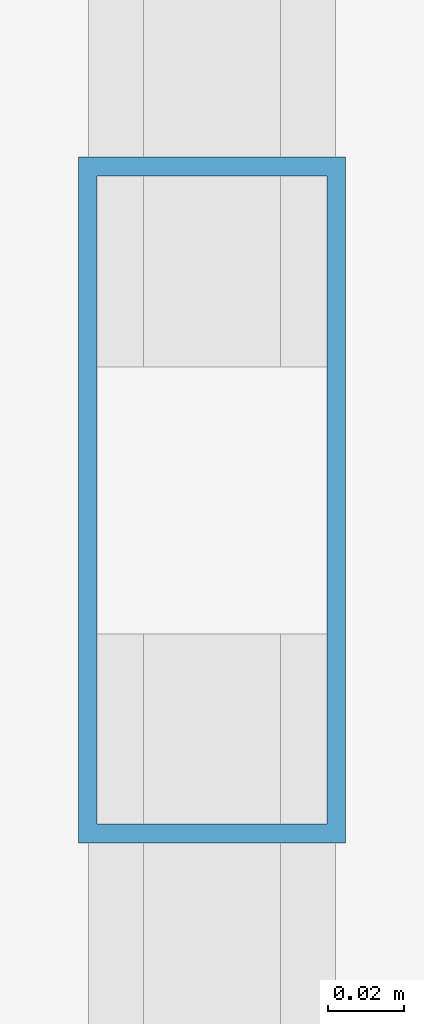
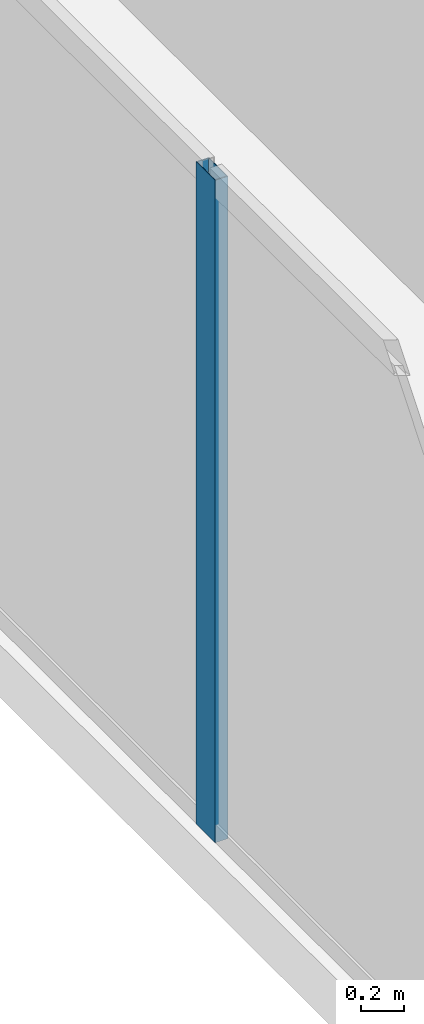
# One storey, part 9 of 33: 1 member, 1 element without a shape of its own.
"""IFC4 building model written with IfcOpenShell, lengths in metres."""

from ifc_helpers import new_model, si_unit, direction, frame, origin, origin_2d, place, context, subcontext, project, spatial, hollow_rectangle, extrude, source, transform, mapped, material, layer, layer_set, material_profile, profile_set, type_object, type_shapes, element, aggregate, save


model = new_model("IFC4")

# Units and contexts
model_context = context("Model", 3, precision=1e-05, world=origin(), true_north=direction((0.0, 1.0)))
body_context = subcontext(model_context, "Body", "Model", "MODEL_VIEW")
ifc_project = project(units=[si_unit("LENGTHUNIT", "METRE"), si_unit("AREAUNIT", "SQUARE_METRE"), si_unit("VOLUMEUNIT", "CUBIC_METRE"), si_unit("PLANEANGLEUNIT", "RADIAN"), si_unit("MASSUNIT", "GRAM", prefix="KILO")], contexts=[model_context])

# Site, building, storey
site_placement = place(None, origin())
site = spatial("IfcSite", under=ifc_project, at=site_placement, CompositionType="ELEMENT")
building_placement = place(site_placement, origin())
building = spatial("IfcBuilding", under=site, at=building_placement, Name="Haelvirn Gate Laboratories", CompositionType="ELEMENT")
storey_placement = place(building_placement, frame((0.0, 0.0, 230.10009765625)))
storey = spatial("IfcBuildingStorey", under=building, at=storey_placement, Name="L55", CompositionType="ELEMENT", Elevation=230.10009765625)

# Curtain wall, member
ifc_material_1 = material(Name="Anodised bronze unitised aluminium & triple low-E glass", Category="aluminium")
ifc_layer = layer(ifc_material_1, 0.176025390625, Name="CW-SYS-4")
ifc_layer_set = layer_set([ifc_layer], Name="Anodised bronze unitised aluminium & triple low-E glass")
curtain_wall_type = type_object("IfcCurtainWallType", Name="CW-SYS-4", PredefinedType="NOTDEFINED", material=ifc_layer_set)
curtain_wall_placement = place(storey_placement, origin())
curtain_wall = element("IfcCurtainWall", 1, at=curtain_wall_placement, inside=storey, type_object=curtain_wall_type, Name="L55 Unitised Curtain Wall CW-L55-P0-E17", PredefinedType="NOTDEFINED")
ifc_material_2 = material(Name="Extruded aluminium 6063-T6 (anodised bronze)", Category="aluminium")
ifc_material_profile = material_profile(ifc_material_2, hollow_rectangle(XDim=0.070068359375, YDim=0.179931640625, WallThickness=0.0048828125, at=origin_2d()), Name="CWM-180x70x5")
ifc_profile_set = profile_set([ifc_material_profile], Name="Extruded aluminium 6063-T6 (anodised bronze)")
member_type = type_object("IfcMemberType", Name="CWM-T180", PredefinedType="MULLION", material=ifc_profile_set)
shared_shape = source(origin(), body_context, "Body", "SweptSolid", [
    extrude(hollow_rectangle(XDim=0.070068359375, YDim=0.179931640625, WallThickness=0.0048828125, at=origin_2d()), origin(), (0.0, 0.0, 1.0), 3.7998046875),
])
type_shapes(member_type, [shared_shape])
member_placement = place(storey_placement, frame((4.10009765625, 24.300048828125, 0.0), z_axis=(0.0, 0.0, 1.0), x_axis=(1.0, 0.0, 0.0)))
member = element("IfcMember", 2, at=member_placement, type_object=member_type, Name="CW4 mullion 2", PredefinedType="MULLION", context=body_context, shape_type="MappedRepresentation", body=[
    mapped(shared_shape, transform((0.0, 0.0, 0.0), scale=1.0)),
])
aggregate(curtain_wall, [member])

save(model, "model.ifc")
